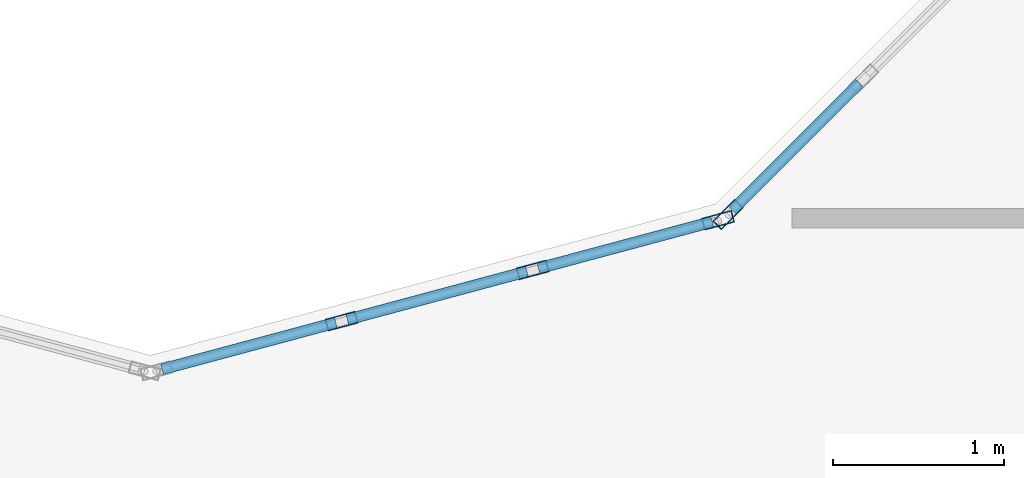
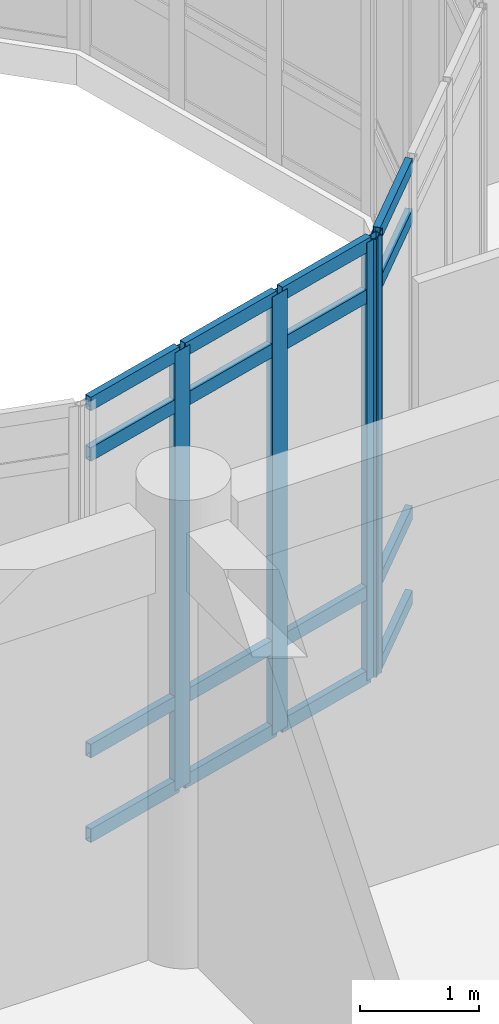
# One storey, part 23 of 138: 20 members, 2 elements without a shape of their own.
"""IFC4 building model written with IfcOpenShell, lengths in metres."""

from ifc_helpers import new_model, si_unit, direction, frame, origin, origin_2d, place, context, subcontext, project, spatial, hollow_rectangle, extrude, material, layer, layer_set, material_profile, profile_set, type_object, element, aggregate, save


model = new_model("IFC4")

# Units and contexts
model_context = context("Model", 3, precision=1e-05, world=origin(), true_north=direction((0.0, 1.0)))
body_context = subcontext(model_context, "Body", "Model", "MODEL_VIEW")
ifc_project = project(units=[si_unit("LENGTHUNIT", "METRE"), si_unit("AREAUNIT", "SQUARE_METRE"), si_unit("VOLUMEUNIT", "CUBIC_METRE"), si_unit("PLANEANGLEUNIT", "RADIAN"), si_unit("MASSUNIT", "GRAM", prefix="KILO")], contexts=[model_context])

# Site, building, storey
site_placement = place(None, origin())
site = spatial("IfcSite", under=ifc_project, at=site_placement, CompositionType="ELEMENT")
building_placement = place(site_placement, origin())
building = spatial("IfcBuilding", under=site, at=building_placement, Name="Bramfleet General Hospital", CompositionType="ELEMENT")
storey_placement = place(building_placement, origin())
storey = spatial("IfcBuildingStorey", under=building, at=storey_placement, Name="L00", CompositionType="ELEMENT", Elevation=0.0)

# Curtain wall, members
ifc_material_1 = material(Name="Anodised aluminium and low-E triple glazing", Category="aluminium")
ifc_layer_1 = layer(ifc_material_1, 0.179931640625, Name="CWT-CW-16")
ifc_layer_set_1 = layer_set([ifc_layer_1], Name="Anodised aluminium and low-E triple glazing")
curtain_wall_type_1 = type_object("IfcCurtainWallType", Name="CWT-CW-16", PredefinedType="USERDEFINED", material=ifc_layer_set_1)
curtain_wall_1_placement = place(storey_placement, origin())
curtain_wall_1 = element("IfcCurtainWall", 1, at=curtain_wall_1_placement, inside=storey, type_object=curtain_wall_type_1, Name="L00 West Clinical Light Court Curtain Wall 4.1", ObjectType="Stick curtain wall", PredefinedType="USERDEFINED")
ifc_material_2 = material(Name="Anodised aluminium EN AW-6060", Category="aluminium")
ifc_material_profile_1 = material_profile(ifc_material_2, hollow_rectangle(XDim=0.070068359375, YDim=0.179931640625, WallThickness=0.00390625, at=origin_2d()), Name="ALU 180x70x4.0")
ifc_profile_set_1 = profile_set([ifc_material_profile_1], Name="Anodised aluminium EN AW-6060")
member_type_1 = type_object("IfcMemberType", Name="CWM-ALU180", PredefinedType="MULLION", material=ifc_profile_set_1)
member_1_placement = place(storey_placement, frame((26.316650390625, 77.599365234375, 0.0), z_axis=(0.0, 0.0, 1.0), x_axis=(-0.25891863407, 0.965899136003, 0.0)))
member_1 = element("IfcMember", 2, at=member_1_placement, type_object=member_type_1, Name="CW-16 mullion 2", PredefinedType="MULLION", context=body_context, shape_type="SweptSolid", body=[
    extrude(hollow_rectangle(XDim=0.070068359375, YDim=0.179931640625, WallThickness=0.00390625, at=origin_2d()), origin(), (0.0, 0.0, 1.0), 4.489990234375),
])
member_2_placement = place(storey_placement, frame((27.433349609375, 77.898681640625, 0.0), z_axis=(0.0, 0.0, 1.0), x_axis=(-0.25891863407, 0.965899136003, 0.0)))
member_2 = element("IfcMember", 3, at=member_2_placement, type_object=member_type_1, Name="CW-16 mullion 3", PredefinedType="MULLION", context=body_context, shape_type="SweptSolid", body=[
    extrude(hollow_rectangle(XDim=0.070068359375, YDim=0.179931640625, WallThickness=0.00390625, at=origin_2d()), origin(), (0.0, 0.0, 1.0), 4.489990234375),
])
member_3_placement = place(storey_placement, frame((28.51611328125, 78.18896484375, 0.0), z_axis=(0.0, 0.0, 1.0), x_axis=(-0.25891863407, 0.965899136003, 0.0)))
member_3 = element("IfcMember", 4, at=member_3_placement, type_object=member_type_1, Name="CW-16 mullion 4", PredefinedType="MULLION", context=body_context, shape_type="SweptSolid", body=[
    extrude(hollow_rectangle(XDim=0.070068359375, YDim=0.179931640625, WallThickness=0.00390625, at=origin_2d()), origin(), (0.0, 0.0, 1.0), 4.489990234375),
])

# Curtain wall, member
ifc_layer_2 = layer(ifc_material_1, 0.179931640625, Name="CWT-CW-17")
ifc_layer_set_2 = layer_set([ifc_layer_2], Name="Anodised aluminium and low-E triple glazing")
curtain_wall_type_2 = type_object("IfcCurtainWallType", Name="CWT-CW-17", PredefinedType="USERDEFINED", material=ifc_layer_set_2)
curtain_wall_2_placement = place(storey_placement, origin())
curtain_wall_2 = element("IfcCurtainWall", 5, at=curtain_wall_2_placement, inside=storey, type_object=curtain_wall_type_2, Name="L00 West Clinical Light Court Curtain Wall 5.1", ObjectType="Stick curtain wall", PredefinedType="USERDEFINED")
member_4_placement = place(storey_placement, frame((28.57470703125, 78.22265625, 0.0), z_axis=(0.0, 0.0, 1.0), x_axis=(-0.707106781187, 0.707106781187, 0.0)))
member_4 = element("IfcMember", 6, at=member_4_placement, type_object=member_type_1, Name="CW-17 mullion 1", PredefinedType="MULLION", context=body_context, shape_type="SweptSolid", body=[
    extrude(hollow_rectangle(XDim=0.070068359375, YDim=0.179931640625, WallThickness=0.00390625, at=origin_2d()), origin(), (0.0, 0.0, 1.0), 4.489990234375),
])

# Member
ifc_material_profile_2 = material_profile(ifc_material_2, hollow_rectangle(XDim=0.06494140625, YDim=0.139892578125, WallThickness=0.00390625, at=origin_2d()), Name="ALU 140x65x4.0")
ifc_profile_set_2 = profile_set([ifc_material_profile_2], Name="Anodised aluminium EN AW-6060")
member_type_2 = type_object("IfcMemberType", Name="CWT-ALU140", PredefinedType="USERDEFINED", material=ifc_profile_set_2)
member_5_placement = place(storey_placement, frame((25.267578125, 77.318115234375, 0.032470703125), z_axis=(0.965891021523, 0.258948903342, 0.0), x_axis=(-0.258948903342, 0.965891021523, 0.0)))
member_5 = element("IfcMember", 7, at=member_5_placement, type_object=member_type_2, Name="CW-16 transom 1.1", ObjectType="TRANSOM", PredefinedType="USERDEFINED", context=body_context, shape_type="SweptSolid", body=[
    extrude(hollow_rectangle(XDim=0.06494140625, YDim=0.139892578125, WallThickness=0.00390625, at=origin_2d()), origin(), (0.0, 0.0, 1.0), 1.05126953125),
])

member_6_placement = place(storey_placement, frame((25.267578125, 77.318115234375, 0.89990234375), z_axis=(0.965891021523, 0.258948903342, 0.0), x_axis=(-0.258948903342, 0.965891021523, 0.0)))
member_6 = element("IfcMember", 8, at=member_6_placement, type_object=member_type_2, Name="CW-16 transom 1.2", ObjectType="TRANSOM", PredefinedType="USERDEFINED", context=body_context, shape_type="SweptSolid", body=[
    extrude(hollow_rectangle(XDim=0.06494140625, YDim=0.139892578125, WallThickness=0.00390625, at=origin_2d()), origin(), (0.0, 0.0, 1.0), 1.05126953125),
])

member_7_placement = place(storey_placement, frame((25.267578125, 77.318115234375, 3.93994140625), z_axis=(0.965891021523, 0.258948903342, 0.0), x_axis=(-0.258948903342, 0.965891021523, 0.0)))
member_7 = element("IfcMember", 9, at=member_7_placement, type_object=member_type_2, Name="CW-16 transom 1.3", ObjectType="TRANSOM", PredefinedType="USERDEFINED", context=body_context, shape_type="SweptSolid", body=[
    extrude(hollow_rectangle(XDim=0.06494140625, YDim=0.139892578125, WallThickness=0.00390625, at=origin_2d()), origin(), (0.0, 0.0, 1.0), 1.05126953125),
])

member_8_placement = place(storey_placement, frame((25.267578125, 77.318115234375, 4.45751953125), z_axis=(0.965891021523, 0.258948903342, 0.0), x_axis=(-0.258948903342, 0.965891021523, 0.0)))
member_8 = element("IfcMember", 10, at=member_8_placement, type_object=member_type_2, Name="CW-16 transom 1.4", ObjectType="TRANSOM", PredefinedType="USERDEFINED", context=body_context, shape_type="SweptSolid", body=[
    extrude(hollow_rectangle(XDim=0.06494140625, YDim=0.139892578125, WallThickness=0.00390625, at=origin_2d()), origin(), (0.0, 0.0, 1.0), 1.05126953125),
])

member_9_placement = place(storey_placement, frame((26.3505859375, 77.6083984375, 0.032470703125), z_axis=(0.965875768108, 0.259005792565, 0.0), x_axis=(-0.259005792565, 0.965875768108, 0.0)))
member_9 = element("IfcMember", 11, at=member_9_placement, type_object=member_type_2, Name="CW-16 transom 2.1", ObjectType="TRANSOM", PredefinedType="USERDEFINED", context=body_context, shape_type="SweptSolid", body=[
    extrude(hollow_rectangle(XDim=0.06494140625, YDim=0.139892578125, WallThickness=0.00390625, at=origin_2d()), origin(), (0.0, 0.0, 1.0), 1.0859375),
])

member_10_placement = place(storey_placement, frame((26.3505859375, 77.6083984375, 0.89990234375), z_axis=(0.965875768108, 0.259005792565, 0.0), x_axis=(-0.259005792565, 0.965875768108, 0.0)))
member_10 = element("IfcMember", 12, at=member_10_placement, type_object=member_type_2, Name="CW-16 transom 2.2", ObjectType="TRANSOM", PredefinedType="USERDEFINED", context=body_context, shape_type="SweptSolid", body=[
    extrude(hollow_rectangle(XDim=0.06494140625, YDim=0.139892578125, WallThickness=0.00390625, at=origin_2d()), origin(), (0.0, 0.0, 1.0), 1.0859375),
])

member_11_placement = place(storey_placement, frame((26.3505859375, 77.6083984375, 3.93994140625), z_axis=(0.965875768108, 0.259005792565, 0.0), x_axis=(-0.259005792565, 0.965875768108, 0.0)))
member_11 = element("IfcMember", 13, at=member_11_placement, type_object=member_type_2, Name="CW-16 transom 2.3", ObjectType="TRANSOM", PredefinedType="USERDEFINED", context=body_context, shape_type="SweptSolid", body=[
    extrude(hollow_rectangle(XDim=0.06494140625, YDim=0.139892578125, WallThickness=0.00390625, at=origin_2d()), origin(), (0.0, 0.0, 1.0), 1.0859375),
])

member_12_placement = place(storey_placement, frame((26.3505859375, 77.6083984375, 4.45751953125), z_axis=(0.965875768108, 0.259005792565, 0.0), x_axis=(-0.259005792565, 0.965875768108, 0.0)))
member_12 = element("IfcMember", 14, at=member_12_placement, type_object=member_type_2, Name="CW-16 transom 2.4", ObjectType="TRANSOM", PredefinedType="USERDEFINED", context=body_context, shape_type="SweptSolid", body=[
    extrude(hollow_rectangle(XDim=0.06494140625, YDim=0.139892578125, WallThickness=0.00390625, at=origin_2d()), origin(), (0.0, 0.0, 1.0), 1.0859375),
])

member_13_placement = place(storey_placement, frame((27.467041015625, 77.90771484375, 0.032470703125), z_axis=(0.965891021523, 0.258948903342, 0.0), x_axis=(-0.258948903342, 0.965891021523, 0.0)))
member_13 = element("IfcMember", 15, at=member_13_placement, type_object=member_type_2, Name="CW-16 transom 3.1", ObjectType="TRANSOM", PredefinedType="USERDEFINED", context=body_context, shape_type="SweptSolid", body=[
    extrude(hollow_rectangle(XDim=0.06494140625, YDim=0.139892578125, WallThickness=0.00390625, at=origin_2d()), origin(), (0.0, 0.0, 1.0), 1.05126953125),
])

member_14_placement = place(storey_placement, frame((27.467041015625, 77.90771484375, 0.89990234375), z_axis=(0.965891021523, 0.258948903342, 0.0), x_axis=(-0.258948903342, 0.965891021523, 0.0)))
member_14 = element("IfcMember", 16, at=member_14_placement, type_object=member_type_2, Name="CW-16 transom 3.2", ObjectType="TRANSOM", PredefinedType="USERDEFINED", context=body_context, shape_type="SweptSolid", body=[
    extrude(hollow_rectangle(XDim=0.06494140625, YDim=0.139892578125, WallThickness=0.00390625, at=origin_2d()), origin(), (0.0, 0.0, 1.0), 1.05126953125),
])

member_15_placement = place(storey_placement, frame((27.467041015625, 77.90771484375, 3.93994140625), z_axis=(0.965891021523, 0.258948903342, 0.0), x_axis=(-0.258948903342, 0.965891021523, 0.0)))
member_15 = element("IfcMember", 17, at=member_15_placement, type_object=member_type_2, Name="CW-16 transom 3.3", ObjectType="TRANSOM", PredefinedType="USERDEFINED", context=body_context, shape_type="SweptSolid", body=[
    extrude(hollow_rectangle(XDim=0.06494140625, YDim=0.139892578125, WallThickness=0.00390625, at=origin_2d()), origin(), (0.0, 0.0, 1.0), 1.05126953125),
])

member_16_placement = place(storey_placement, frame((27.467041015625, 77.90771484375, 4.45751953125), z_axis=(0.965891021523, 0.258948903342, 0.0), x_axis=(-0.258948903342, 0.965891021523, 0.0)))
member_16 = element("IfcMember", 18, at=member_16_placement, type_object=member_type_2, Name="CW-16 transom 3.4", ObjectType="TRANSOM", PredefinedType="USERDEFINED", context=body_context, shape_type="SweptSolid", body=[
    extrude(hollow_rectangle(XDim=0.06494140625, YDim=0.139892578125, WallThickness=0.00390625, at=origin_2d()), origin(), (0.0, 0.0, 1.0), 1.05126953125),
])

aggregate(curtain_wall_1, [member_1, member_2, member_3, member_5, member_6, member_7, member_8, member_9, member_10, member_11, member_12, member_13, member_14, member_15, member_16])

member_17_placement = place(storey_placement, frame((28.599609375, 78.24755859375, 0.032470703125), z_axis=(0.707106781187, 0.707106781187, 0.0), x_axis=(-0.707106781187, 0.707106781187, 0.0)))
member_17 = element("IfcMember", 19, at=member_17_placement, type_object=member_type_2, Name="CW-17 transom 1.1", ObjectType="TRANSOM", PredefinedType="USERDEFINED", context=body_context, shape_type="SweptSolid", body=[
    extrude(hollow_rectangle(XDim=0.06494140625, YDim=0.139892578125, WallThickness=0.00390625, at=origin_2d()), origin(), (0.0, 0.0, 1.0), 1.050537109375),
])

member_18_placement = place(storey_placement, frame((28.599609375, 78.24755859375, 0.89990234375), z_axis=(0.707106781187, 0.707106781187, 0.0), x_axis=(-0.707106781187, 0.707106781187, 0.0)))
member_18 = element("IfcMember", 20, at=member_18_placement, type_object=member_type_2, Name="CW-17 transom 1.2", ObjectType="TRANSOM", PredefinedType="USERDEFINED", context=body_context, shape_type="SweptSolid", body=[
    extrude(hollow_rectangle(XDim=0.06494140625, YDim=0.139892578125, WallThickness=0.00390625, at=origin_2d()), origin(), (0.0, 0.0, 1.0), 1.050537109375),
])

member_19_placement = place(storey_placement, frame((28.599609375, 78.24755859375, 3.93994140625), z_axis=(0.707106781187, 0.707106781187, 0.0), x_axis=(-0.707106781187, 0.707106781187, 0.0)))
member_19 = element("IfcMember", 21, at=member_19_placement, type_object=member_type_2, Name="CW-17 transom 1.3", ObjectType="TRANSOM", PredefinedType="USERDEFINED", context=body_context, shape_type="SweptSolid", body=[
    extrude(hollow_rectangle(XDim=0.06494140625, YDim=0.139892578125, WallThickness=0.00390625, at=origin_2d()), origin(), (0.0, 0.0, 1.0), 1.050537109375),
])

member_20_placement = place(storey_placement, frame((28.599609375, 78.24755859375, 4.45751953125), z_axis=(0.707106781187, 0.707106781187, 0.0), x_axis=(-0.707106781187, 0.707106781187, 0.0)))
member_20 = element("IfcMember", 22, at=member_20_placement, type_object=member_type_2, Name="CW-17 transom 1.4", ObjectType="TRANSOM", PredefinedType="USERDEFINED", context=body_context, shape_type="SweptSolid", body=[
    extrude(hollow_rectangle(XDim=0.06494140625, YDim=0.139892578125, WallThickness=0.00390625, at=origin_2d()), origin(), (0.0, 0.0, 1.0), 1.050537109375),
])

aggregate(curtain_wall_2, [member_4, member_17, member_18, member_19, member_20])

save(model, "model.ifc")
